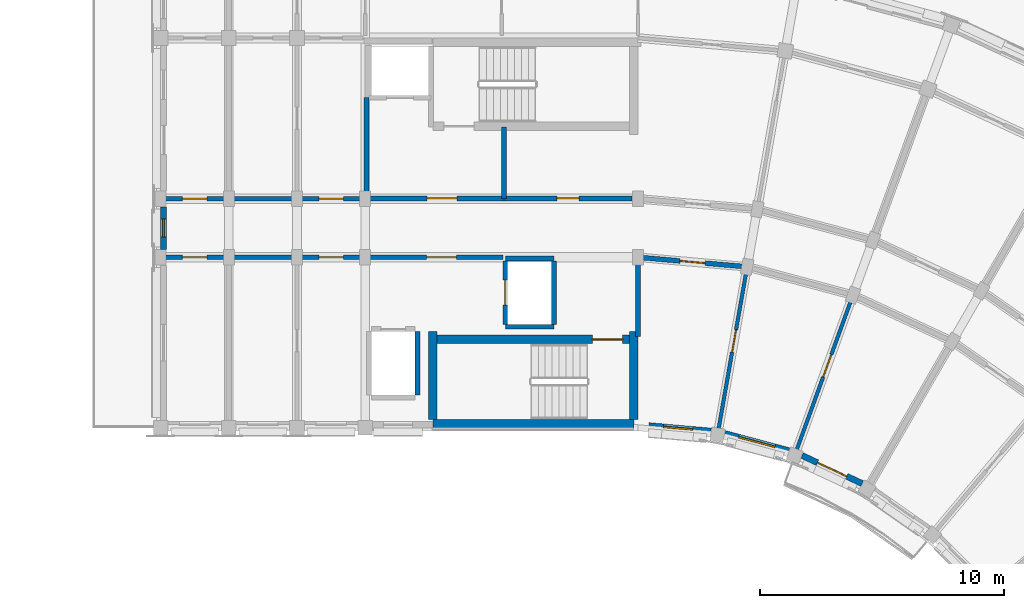
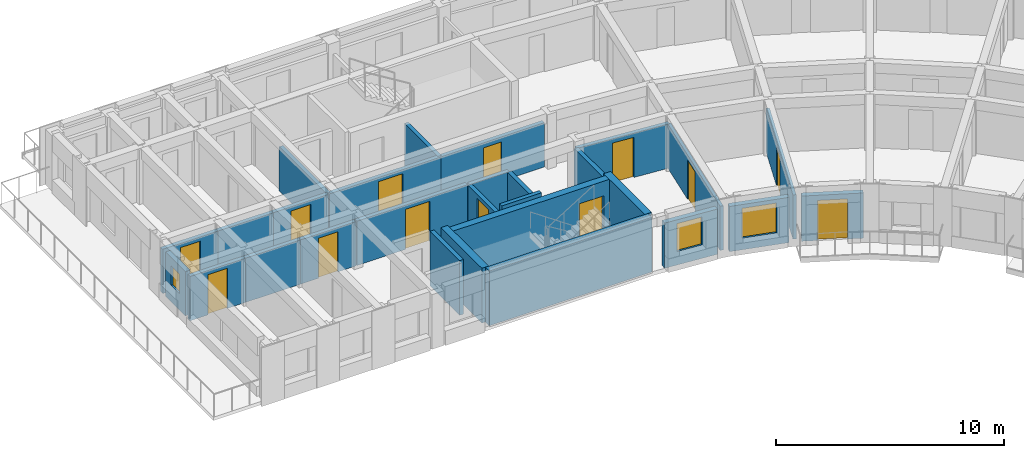
# One storey, part 18 of 36: 28 walls, 13 doors, 3 windows, 16 openings.
"""IFC4 building model written with IfcOpenShell, lengths in metres."""

from ifc_helpers import new_model, si_unit, direction, frame, frame_2d, origin, place, context, subcontext, project, spatial, rectangle, extrude, material, layer, layer_set, type_object, element, fill, save


model = new_model("IFC4")

# Units and contexts
model_context = context("Model", 3, precision=1e-05, world=origin(), true_north=direction((0.0, 1.0)))
body_context = subcontext(model_context, "Body", "Model", "MODEL_VIEW")
ifc_project = project(units=[si_unit("LENGTHUNIT", "METRE"), si_unit("AREAUNIT", "SQUARE_METRE"), si_unit("VOLUMEUNIT", "CUBIC_METRE"), si_unit("PLANEANGLEUNIT", "RADIAN"), si_unit("MASSUNIT", "GRAM", prefix="KILO")], contexts=[model_context])

# Site, building, storey
site_placement = place(None, origin())
site = spatial("IfcSite", under=ifc_project, at=site_placement, CompositionType="ELEMENT")
building_placement = place(site_placement, origin())
building = spatial("IfcBuilding", under=site, at=building_placement, Name="Kiranvali Square Residences", CompositionType="ELEMENT")
storey_placement = place(building_placement, frame((0.0, 0.0, 37.050048828125)))
storey = spatial("IfcBuildingStorey", under=building, at=storey_placement, Name="L11", CompositionType="ELEMENT", Elevation=37.050048828125)

# Wall, opening, door
ifc_material_1 = material(Name="Autoclaved aerated concrete blockwork masonry", Category="masonry")
ifc_layer_1 = layer(ifc_material_1, 0.199951171875)
ifc_layer_set_1 = layer_set([ifc_layer_1], Name="Autoclaved aerated concrete blockwork masonry")
wall_type_1 = type_object("IfcWallType", Name="WL-COR-200", PredefinedType="STANDARD", material=ifc_layer_set_1)
wall_1_placement = place(storey_placement, frame((114.25, 113.60009765625, 0.0), z_axis=(0.0, 0.0, 1.0), x_axis=(-1.0, 0.0, 0.0)))
wall_1 = element("IfcWall", 1, at=wall_1_placement, inside=storey, type_object=wall_type_1, Name="L11 architectural wall WL-L11-B-LL-COR", PredefinedType="STANDARD", context=body_context, shape_type="SweptSolid", body=[
    extrude(rectangle(XDim=5.60009765625, YDim=0.199951171875, at=frame_2d((2.800048828125, 0.0))), origin(), (0.0, 0.0, 1.0), 2.3720703125),
])
opening_1_placement = place(wall_1_placement, frame((1.909912109375, 0.0, 0.0)))
opening_1 = element("IfcOpeningElement", 2, at=opening_1_placement, cuts=wall_1, Name="Opening FD-COR-60", PredefinedType="OPENING", context=body_context, shape_type="SweptSolid", body=[
    extrude(rectangle(XDim=1.219970703125, YDim=2.14990234375, at=frame_2d((0.60986328125, 1.074951171875))), frame((0.0, 0.10986328125, 0.0), z_axis=(0.0, -1.0, 0.0), x_axis=(1.0, 0.0, 0.0)), (0.0, 0.0, 1.0), 0.219970703125),
])
ifc_material_2 = material(Name="Fire-rated acoustic hardwood and mineral-core door assembly", Category="wood")
door_type_1 = type_object("IfcDoorType", Name="DR-FD60-1200", OperationType="NOTDEFINED", PredefinedType="DOOR", material=ifc_material_2)
door_1_placement = place(opening_1_placement, origin())
door_1 = element("IfcDoor", 3, at=door_1_placement, inside=storey, type_object=door_type_1, Name="L11 door DR-L11-1641 (DR-FD60-1200)", OperationType="SINGLE_SWING_LEFT", OverallHeight=2.14990234375, OverallWidth=1.219970703125, PredefinedType="DOOR", context=body_context, shape_type="SweptSolid", body=[
    extrude(rectangle(XDim=1.219970703125, YDim=2.14990234375, at=frame_2d((0.60986328125, 1.074951171875))), frame((0.0, 0.02490234375, 0.0), z_axis=(0.0, -1.0, 0.0), x_axis=(1.0, 0.0, 0.0)), (0.0, 0.0, 1.0), 0.050048828125),
])
fill(opening_1, door_1)

wall_2_placement = place(storey_placement, frame((108.60009765625, 113.60009765625, 0.0), z_axis=(0.0, 0.0, 1.0), x_axis=(-1.0, 0.0, 0.0)))
wall_2 = element("IfcWall", 4, at=wall_2_placement, inside=storey, type_object=wall_type_1, Name="L11 architectural wall WL-L11-B-A1CI-0", PredefinedType="STANDARD", context=body_context, shape_type="SweptSolid", body=[
    extrude(rectangle(XDim=2.800048828125, YDim=0.199951171875, at=frame_2d((1.39990234375, 0.0))), origin(), (0.0, 0.0, 1.0), 2.3720703125),
])
opening_2_placement = place(wall_2_placement, frame((0.89990234375, 0.0, 0.0)))
opening_2 = element("IfcOpeningElement", 5, at=opening_2_placement, cuts=wall_2, Name="Opening FD-APT-60", PredefinedType="OPENING", context=body_context, shape_type="SweptSolid", body=[
    extrude(rectangle(XDim=1.0, YDim=2.14990234375, at=frame_2d((0.5, 1.074951171875))), frame((0.0, 0.10986328125, 0.0), z_axis=(0.0, -1.0, 0.0), x_axis=(1.0, 0.0, 0.0)), (0.0, 0.0, 1.0), 0.219970703125),
])
door_type_2 = type_object("IfcDoorType", Name="DR-APT-1000", OperationType="NOTDEFINED", PredefinedType="DOOR", material=ifc_material_2)
door_2_placement = place(opening_2_placement, origin())
door_2 = element("IfcDoor", 6, at=door_2_placement, inside=storey, type_object=door_type_2, Name="L11 door DR-L11-1645 (DR-APT-1000)", OperationType="SINGLE_SWING_LEFT", OverallHeight=2.14990234375, OverallWidth=1.0, PredefinedType="DOOR", context=body_context, shape_type="SweptSolid", body=[
    extrude(rectangle(XDim=1.0, YDim=2.14990234375, at=frame_2d((0.5, 1.074951171875))), frame((0.0, 0.02490234375, 0.0), z_axis=(0.0, -1.0, 0.0), x_axis=(1.0, 0.0, 0.0)), (0.0, 0.0, 1.0), 0.050048828125),
])
fill(opening_2, door_2)

wall_3_placement = place(storey_placement, frame((108.60009765625, 116.0, 0.0), z_axis=(0.0, 0.0, 1.0), x_axis=(-1.0, 0.0, 0.0)))
wall_3 = element("IfcWall", 7, at=wall_3_placement, inside=storey, type_object=wall_type_1, Name="L11 architectural wall WL-L11-B-A1CO-0", PredefinedType="STANDARD", context=body_context, shape_type="SweptSolid", body=[
    extrude(rectangle(XDim=2.800048828125, YDim=0.199951171875, at=frame_2d((1.39990234375, 0.0))), origin(), (0.0, 0.0, 1.0), 2.3720703125),
])
opening_3_placement = place(wall_3_placement, frame((0.89990234375, 0.0, 0.0)))
opening_3 = element("IfcOpeningElement", 8, at=opening_3_placement, cuts=wall_3, Name="Opening FD-APT-60", PredefinedType="OPENING", context=body_context, shape_type="SweptSolid", body=[
    extrude(rectangle(XDim=1.0, YDim=2.14990234375, at=frame_2d((0.5, 1.074951171875))), frame((0.0, 0.10986328125, 0.0), z_axis=(0.0, -1.0, 0.0), x_axis=(1.0, 0.0, 0.0)), (0.0, 0.0, 1.0), 0.219970703125),
])
door_3_placement = place(opening_3_placement, origin())
door_3 = element("IfcDoor", 9, at=door_3_placement, inside=storey, type_object=door_type_2, Name="L11 door DR-L11-1647 (DR-APT-1000)", OperationType="SINGLE_SWING_LEFT", OverallHeight=2.14990234375, OverallWidth=1.0, PredefinedType="DOOR", context=body_context, shape_type="SweptSolid", body=[
    extrude(rectangle(XDim=1.0, YDim=2.14990234375, at=frame_2d((0.5, 1.074951171875))), frame((0.0, 0.02490234375, 0.0), z_axis=(0.0, -1.0, 0.0), x_axis=(1.0, 0.0, 0.0)), (0.0, 0.0, 1.0), 0.050048828125),
])
fill(opening_3, door_3)

# Walls
for number, where, z_axis, x_axis, name in (
    (10, (105.800048828125, 113.60009765625, 0.0), (0.0, 0.0, 1.0), (-1.0, 0.0, 0.0), "L11 architectural wall WL-L11-B-A1CI-1"),
    (11, (105.800048828125, 116.0, 0.0), (0.0, 0.0, 1.0), (-1.0, 0.0, 0.0), "L11 architectural wall WL-L11-B-A1CO-1"),
):
    element("IfcWall", number, at=place(storey_placement, frame(where, z_axis=z_axis, x_axis=x_axis)), inside=storey, type_object=wall_type_1, Name=name, PredefinedType="STANDARD", context=body_context, shape_type="SweptSolid", body=[
        extrude(rectangle(XDim=2.800048828125, YDim=0.199951171875, at=frame_2d((1.39990234375, 0.0))), origin(), (0.0, 0.0, 1.0), 2.3720703125),
    ])

# Wall, opening, door
wall_4_placement = place(storey_placement, frame((103.0, 113.60009765625, 0.0), z_axis=(0.0, 0.0, 1.0), x_axis=(-1.0, 0.0, 0.0)))
wall_4 = element("IfcWall", 12, at=wall_4_placement, inside=storey, type_object=wall_type_1, Name="L11 architectural wall WL-L11-B-A1CI-2", PredefinedType="STANDARD", context=body_context, shape_type="SweptSolid", body=[
    extrude(rectangle(XDim=2.800048828125, YDim=0.199951171875, at=frame_2d((1.39990234375, 0.0))), origin(), (0.0, 0.0, 1.0), 2.3720703125),
])
opening_4_placement = place(wall_4_placement, frame((0.89990234375, 0.0, 0.0)))
opening_4 = element("IfcOpeningElement", 13, at=opening_4_placement, cuts=wall_4, Name="Opening FD-APT-60", PredefinedType="OPENING", context=body_context, shape_type="SweptSolid", body=[
    extrude(rectangle(XDim=1.0, YDim=2.14990234375, at=frame_2d((0.5, 1.074951171875))), frame((0.0, 0.10986328125, 0.0), z_axis=(0.0, -1.0, 0.0), x_axis=(1.0, 0.0, 0.0)), (0.0, 0.0, 1.0), 0.219970703125),
])
door_4_placement = place(opening_4_placement, origin())
door_4 = element("IfcDoor", 14, at=door_4_placement, inside=storey, type_object=door_type_2, Name="L11 door DR-L11-1649 (DR-APT-1000)", OperationType="SINGLE_SWING_LEFT", OverallHeight=2.14990234375, OverallWidth=1.0, PredefinedType="DOOR", context=body_context, shape_type="SweptSolid", body=[
    extrude(rectangle(XDim=1.0, YDim=2.14990234375, at=frame_2d((0.5, 1.074951171875))), frame((0.0, 0.02490234375, 0.0), z_axis=(0.0, -1.0, 0.0), x_axis=(1.0, 0.0, 0.0)), (0.0, 0.0, 1.0), 0.050048828125),
])
fill(opening_4, door_4)

wall_5_placement = place(storey_placement, frame((103.0, 116.0, 0.0), z_axis=(0.0, 0.0, 1.0), x_axis=(-1.0, 0.0, 0.0)))
wall_5 = element("IfcWall", 15, at=wall_5_placement, inside=storey, type_object=wall_type_1, Name="L11 architectural wall WL-L11-B-A1CO-2", PredefinedType="STANDARD", context=body_context, shape_type="SweptSolid", body=[
    extrude(rectangle(XDim=2.800048828125, YDim=0.199951171875, at=frame_2d((1.39990234375, 0.0))), origin(), (0.0, 0.0, 1.0), 2.3720703125),
])
opening_5_placement = place(wall_5_placement, frame((0.89990234375, 0.0, 0.0)))
opening_5 = element("IfcOpeningElement", 16, at=opening_5_placement, cuts=wall_5, Name="Opening FD-APT-60", PredefinedType="OPENING", context=body_context, shape_type="SweptSolid", body=[
    extrude(rectangle(XDim=1.0, YDim=2.14990234375, at=frame_2d((0.5, 1.074951171875))), frame((0.0, 0.10986328125, 0.0), z_axis=(0.0, -1.0, 0.0), x_axis=(1.0, 0.0, 0.0)), (0.0, 0.0, 1.0), 0.219970703125),
])
door_5_placement = place(opening_5_placement, origin())
door_5 = element("IfcDoor", 17, at=door_5_placement, inside=storey, type_object=door_type_2, Name="L11 door DR-L11-1651 (DR-APT-1000)", OperationType="SINGLE_SWING_LEFT", OverallHeight=2.14990234375, OverallWidth=1.0, PredefinedType="DOOR", context=body_context, shape_type="SweptSolid", body=[
    extrude(rectangle(XDim=1.0, YDim=2.14990234375, at=frame_2d((0.5, 1.074951171875))), frame((0.0, 0.02490234375, 0.0), z_axis=(0.0, -1.0, 0.0), x_axis=(1.0, 0.0, 0.0)), (0.0, 0.0, 1.0), 0.050048828125),
])
fill(opening_5, door_5)

wall_6_placement = place(storey_placement, frame((119.800048828125, 113.60009765625, 0.0), z_axis=(0.0, 0.0, 1.0), x_axis=(0.996191949488, -0.087187153726, 0.0)))
wall_6 = element("IfcWall", 18, at=wall_6_placement, inside=storey, type_object=wall_type_1, Name="L11 architectural wall WL-L11-B-CCI-0", PredefinedType="STANDARD", context=body_context, shape_type="SweptSolid", body=[
    extrude(rectangle(XDim=4.4970703125, YDim=0.199951171875, at=frame_2d((2.24853515625, 0.0))), origin(), (0.0, 0.0, 1.0), 2.3720703125),
])
opening_6_placement = place(wall_6_placement, frame((1.728515625, 0.0, 0.0)))
opening_6 = element("IfcOpeningElement", 19, at=opening_6_placement, cuts=wall_6, Name="Opening FD-APT-60B", PredefinedType="OPENING", context=body_context, shape_type="SweptSolid", body=[
    extrude(rectangle(XDim=1.0400390625, YDim=2.14990234375, at=frame_2d((0.52001953125, 1.074951171875))), frame((0.0, 0.10986328125, 0.0), z_axis=(0.0, -1.0, 0.0), x_axis=(1.0, 0.0, 0.0)), (0.0, 0.0, 1.0), 0.219970703125),
])
door_type_3 = type_object("IfcDoorType", Name="DR-APT-1040", OperationType="NOTDEFINED", PredefinedType="DOOR", material=ifc_material_2)
door_6_placement = place(opening_6_placement, frame((1.0400390625, 0.0, 0.0), z_axis=(0.0, 0.0, 1.0), x_axis=(-1.0, 0.0, 0.0)))
door_6 = element("IfcDoor", 20, at=door_6_placement, inside=storey, type_object=door_type_3, Name="L11 door DR-L11-1680 (DR-APT-1040)", OperationType="SINGLE_SWING_RIGHT", OverallHeight=2.14990234375, OverallWidth=1.0400390625, PredefinedType="DOOR", context=body_context, shape_type="SweptSolid", body=[
    extrude(rectangle(XDim=1.0400390625, YDim=2.14990234375, at=frame_2d((0.52001953125, 1.074951171875))), frame((0.0, 0.02490234375, 0.0), z_axis=(0.0, -1.0, 0.0), x_axis=(1.0, 0.0, 0.0)), (0.0, 0.0, 1.0), 0.050048828125),
])
fill(opening_6, door_6)

# Wall
ifc_layer_2 = layer(ifc_material_1, 0.219970703125)
ifc_layer_set_2 = layer_set([ifc_layer_2], Name="Autoclaved aerated concrete blockwork masonry")
wall_type_2 = type_object("IfcWallType", Name="WL-DEM-220", PredefinedType="STANDARD", material=ifc_layer_set_2)
wall_7_placement = place(storey_placement, frame((119.800048828125, 110.35009765625, 0.0), z_axis=(0.0, 0.0, 1.0), x_axis=(0.0, 1.0, 0.0)))
element("IfcWall", 21, at=wall_7_placement, inside=storey, type_object=wall_type_2, Name="L11 architectural wall WL-L11-B-RADI-0", PredefinedType="STANDARD", context=body_context, shape_type="SweptSolid", body=[
    extrude(rectangle(XDim=3.199951171875, YDim=0.219970703125, at=frame_2d((1.60009765625, 0.0))), origin(), (0.0, 0.0, 1.0), 2.3720703125),
])

# Wall, opening, window
ifc_material_3 = material(Name="Breathable lime-rendered clay brick masonry", Category="masonry")
ifc_layer_3 = layer(ifc_material_3, 0.25)
ifc_layer_set_3 = layer_set([ifc_layer_3], Name="Breathable lime-rendered clay brick masonry")
wall_type_3 = type_object("IfcWallType", Name="WL-EXT-250", PredefinedType="STANDARD", material=ifc_layer_set_3)
wall_8_placement = place(storey_placement, frame((120.249267578125, 106.686279296875, 0.0), z_axis=(0.0, 0.0, 1.0), x_axis=(0.996188847542, -0.087222589008, 0.0)))
wall_8 = element("IfcWall", 22, at=wall_8_placement, inside=storey, type_object=wall_type_3, Name="L11 exterior wall B-L11-GDN-00", PredefinedType="STANDARD", context=body_context, shape_type="SweptSolid", body=[
    extrude(rectangle(XDim=2.558349609375, YDim=0.25, at=frame_2d((1.279296875, 0.0))), origin(), (0.0, 0.0, 1.0), 2.421875),
])
opening_7_placement = place(wall_8_placement, frame((0.5986328125, 0.0, 0.721923828125)))
opening_7 = element("IfcOpeningElement", 23, at=opening_7_placement, cuts=wall_8, Name="Opening W-06", PredefinedType="OPENING", context=body_context, shape_type="SweptSolid", body=[
    extrude(rectangle(XDim=1.199951171875, YDim=1.5, at=frame_2d((0.60009765625, 0.75))), frame((0.0, 0.135009765625, 0.0), z_axis=(0.0, -1.0, 0.0), x_axis=(1.0, 0.0, 0.0)), (0.0, 0.0, 1.0), 0.27001953125),
])
ifc_material_4 = material(Name="Solar-control low-e double glazing", Category="glass")
window_type_1 = type_object("IfcWindowType", Name="WIN-RES-1200x1500", PartitioningType="SINGLE_PANEL", PredefinedType="WINDOW", material=ifc_material_4)
window_1_placement = place(opening_7_placement, origin())
window_1 = element("IfcWindow", 24, at=window_1_placement, inside=storey, type_object=window_type_1, Name="L11 recessed window B-L11-GDN-00", OverallHeight=1.5, OverallWidth=1.199951171875, PartitioningType="SINGLE_PANEL", PredefinedType="WINDOW", context=body_context, shape_type="SweptSolid", body=[
    extrude(rectangle(XDim=1.199951171875, YDim=1.5, at=frame_2d((0.60009765625, 0.75))), frame((0.0, 0.030029296875, 0.0), z_axis=(0.0, -1.0, 0.0), x_axis=(1.0, 0.0, 0.0)), (0.0, 0.0, 1.0), 0.06005859375),
])
fill(opening_7, window_1)

wall_9_placement = place(storey_placement, frame((123.3662109375, 106.363037109375, 0.0), z_axis=(0.0, 0.0, 1.0), x_axis=(0.965928818058, -0.258807879411, 0.0)))
wall_9 = element("IfcWall", 25, at=wall_9_placement, inside=storey, type_object=wall_type_3, Name="L11 exterior wall B-L11-GDN-01", PredefinedType="STANDARD", context=body_context, shape_type="SweptSolid", body=[
    extrude(rectangle(XDim=2.7197265625, YDim=0.25, at=frame_2d((1.35986328125, 0.0))), origin(), (0.0, 0.0, 1.0), 2.421875),
])
opening_8_placement = place(wall_9_placement, frame((0.5849609375, 0.0, 0.6220703125)))
opening_8 = element("IfcOpeningElement", 26, at=opening_8_placement, cuts=wall_9, Name="Opening W-18", PredefinedType="OPENING", context=body_context, shape_type="SweptSolid", body=[
    extrude(rectangle(XDim=1.550048828125, YDim=1.60009765625, at=frame_2d((0.77490234375, 0.800048828125))), frame((0.0, 0.135009765625, 0.0), z_axis=(0.0, -1.0, 0.0), x_axis=(1.0, 0.0, 0.0)), (0.0, 0.0, 1.0), 0.27001953125),
])
window_type_2 = type_object("IfcWindowType", Name="WIN-GDN-1550x1600", PartitioningType="DOUBLE_PANEL_VERTICAL", PredefinedType="WINDOW", material=ifc_material_4)
window_2_placement = place(opening_8_placement, origin())
window_2 = element("IfcWindow", 27, at=window_2_placement, inside=storey, type_object=window_type_2, Name="L11 recessed window B-L11-GDN-01", OverallHeight=1.60009765625, OverallWidth=1.550048828125, PartitioningType="DOUBLE_PANEL_VERTICAL", PredefinedType="WINDOW", context=body_context, shape_type="SweptSolid", body=[
    extrude(rectangle(XDim=1.550048828125, YDim=1.60009765625, at=frame_2d((0.77490234375, 0.800048828125))), frame((0.0, 0.030029296875, 0.0), z_axis=(0.0, -1.0, 0.0), x_axis=(1.0, 0.0, 0.0)), (0.0, 0.0, 1.0), 0.06005859375),
])
fill(opening_8, window_2)

# Wall, opening, door
wall_10_placement = place(storey_placement, frame((126.535400390625, 105.461669921875, 0.0), z_axis=(0.0, 0.0, 1.0), x_axis=(0.906302358412, -0.422629903269, 0.0)))
wall_10 = element("IfcWall", 28, at=wall_10_placement, inside=storey, type_object=wall_type_3, Name="L11 exterior wall B-L11-GDN-02", PredefinedType="STANDARD", context=body_context, shape_type="SweptSolid", body=[
    extrude(rectangle(XDim=2.7197265625, YDim=0.25, at=frame_2d((1.35986328125, 0.0))), origin(), (0.0, 0.0, 1.0), 2.421875),
])
opening_9_placement = place(wall_10_placement, frame((0.699951171875, 0.0, 0.0)))
opening_9 = element("IfcOpeningElement", 29, at=opening_9_placement, cuts=wall_10, Name="Opening ED-BAL-3", PredefinedType="OPENING", context=body_context, shape_type="SweptSolid", body=[
    extrude(rectangle(XDim=1.320068359375, YDim=2.14990234375, at=frame_2d((0.66015625, 1.074951171875))), frame((0.0, 0.135009765625, 0.0), z_axis=(0.0, -1.0, 0.0), x_axis=(1.0, 0.0, 0.0)), (0.0, 0.0, 1.0), 0.27001953125),
])
ifc_material_5 = material(Name="Anodised bronze aluminium framing", Category="aluminium")
door_type_4 = type_object("IfcDoorType", Name="DR-BAL-1320", OperationType="NOTDEFINED", PredefinedType="DOOR", material=ifc_material_5)
door_7_placement = place(opening_9_placement, frame((1.320068359375, 0.0, 0.0), z_axis=(0.0, 0.0, 1.0), x_axis=(-1.0, 0.0, 0.0)))
door_7 = element("IfcDoor", 30, at=door_7_placement, inside=storey, type_object=door_type_4, Name="L11 balcony terrace door", OperationType="SINGLE_SWING_RIGHT", OverallHeight=2.14990234375, OverallWidth=1.320068359375, PredefinedType="DOOR", context=body_context, shape_type="SweptSolid", body=[
    extrude(rectangle(XDim=1.320068359375, YDim=2.14990234375, at=frame_2d((0.66015625, 1.074951171875))), frame((0.0, 0.02490234375, 0.0), z_axis=(0.0, -1.0, 0.0), x_axis=(1.0, 0.0, 0.0)), (0.0, 0.0, 1.0), 0.050048828125),
])
fill(opening_9, door_7)

# Wall, opening, window
wall_11_placement = place(storey_placement, frame((100.324951171875, 113.928466796875, 0.0), z_axis=(0.0, 0.0, 1.0), x_axis=(0.0, 1.0, 0.0)))
wall_11 = element("IfcWall", 31, at=wall_11_placement, inside=storey, type_object=wall_type_3, Name="L11 exterior wall B-L11-A1END-1", PredefinedType="STANDARD", context=body_context, shape_type="SweptSolid", body=[
    extrude(rectangle(XDim=1.742919921875, YDim=0.25, at=frame_2d((0.87158203125, 0.0))), origin(), (0.0, 0.0, 1.0), 2.3720703125),
])
opening_10_placement = place(wall_11_placement, frame((0.49658203125, 0.0, 0.8798828125)))
opening_10 = element("IfcOpeningElement", 32, at=opening_10_placement, cuts=wall_11, Name="Opening W-07", PredefinedType="OPENING", context=body_context, shape_type="SweptSolid", body=[
    extrude(rectangle(XDim=0.75, YDim=1.050048828125, at=frame_2d((0.375, 0.52490234375))), frame((0.0, 0.135009765625, 0.0), z_axis=(0.0, -1.0, 0.0), x_axis=(1.0, 0.0, 0.0)), (0.0, 0.0, 1.0), 0.27001953125),
])
window_type_3 = type_object("IfcWindowType", Name="WIN-WET-750x1050", PartitioningType="SINGLE_PANEL", PredefinedType="WINDOW", material=ifc_material_4)
window_3_placement = place(opening_10_placement, origin())
window_3 = element("IfcWindow", 33, at=window_3_placement, inside=storey, type_object=window_type_3, Name="L11 recessed window B-L11-A1END-1", OverallHeight=1.050048828125, OverallWidth=0.75, PartitioningType="SINGLE_PANEL", PredefinedType="WINDOW", context=body_context, shape_type="SweptSolid", body=[
    extrude(rectangle(XDim=0.75, YDim=1.050048828125, at=frame_2d((0.375, 0.52490234375))), frame((0.0, 0.030029296875, 0.0), z_axis=(0.0, -1.0, 0.0), x_axis=(1.0, 0.0, 0.0)), (0.0, 0.0, 1.0), 0.06005859375),
])
fill(opening_10, window_3)

# Wall, opening, door
ifc_layer_4 = layer(ifc_material_1, 0.199951171875)
ifc_layer_set_4 = layer_set([ifc_layer_4], Name="Autoclaved aerated concrete blockwork masonry")
wall_type_4 = type_object("IfcWallType", Name="WL-FFL-200", PredefinedType="STANDARD", material=ifc_layer_set_4)
wall_12_placement = place(storey_placement, frame((114.300048828125, 116.02001953125, 0.0), z_axis=(0.0, 0.0, 1.0), x_axis=(-1.0, 0.0, 0.0)))
wall_12 = element("IfcWall", 34, at=wall_12_placement, inside=storey, type_object=wall_type_4, Name="L11 architectural wall WL-L11-B-FF-COR", PredefinedType="STANDARD", context=body_context, shape_type="SweptSolid", body=[
    extrude(rectangle(XDim=5.650146484375, YDim=0.199951171875, at=frame_2d((2.8251953125, 0.0))), origin(), (0.0, 0.0, 1.0), 2.3720703125),
])
opening_11_placement = place(wall_12_placement, frame((1.922607421875, 0.0, 0.0)))
opening_11 = element("IfcOpeningElement", 35, at=opening_11_placement, cuts=wall_12, Name="Opening FD-ST-120", PredefinedType="OPENING", context=body_context, shape_type="SweptSolid", body=[
    extrude(rectangle(XDim=1.239990234375, YDim=2.14990234375, at=frame_2d((0.6201171875, 1.074951171875))), frame((0.0, 0.10986328125, 0.0), z_axis=(0.0, -1.0, 0.0), x_axis=(1.0, 0.0, 0.0)), (0.0, 0.0, 1.0), 0.219970703125),
])
door_type_5 = type_object("IfcDoorType", Name="DR-FD120-1200", OperationType="NOTDEFINED", PredefinedType="DOOR", material=ifc_material_2)
door_8_placement = place(opening_11_placement, origin())
door_8 = element("IfcDoor", 36, at=door_8_placement, inside=storey, type_object=door_type_5, Name="L11 door DR-L11-1633 (DR-FD120-1200)", OperationType="SINGLE_SWING_LEFT", OverallHeight=2.14990234375, OverallWidth=1.239990234375, PredefinedType="DOOR", context=body_context, shape_type="SweptSolid", body=[
    extrude(rectangle(XDim=1.239990234375, YDim=2.14990234375, at=frame_2d((0.6201171875, 1.074951171875))), frame((0.0, 0.02490234375, 0.0), z_axis=(0.0, -1.0, 0.0), x_axis=(1.0, 0.0, 0.0)), (0.0, 0.0, 1.0), 0.050048828125),
])
fill(opening_11, door_8)

# Walls
wall_13_placement = place(storey_placement, frame((114.300048828125, 116.02001953125, 0.0), z_axis=(0.0, 0.0, 1.0), x_axis=(0.0, 1.0, 0.0)))
element("IfcWall", 37, at=wall_13_placement, inside=storey, type_object=wall_type_4, Name="L11 architectural wall WL-L11-B-FF-DIV", PredefinedType="STANDARD", context=body_context, shape_type="SweptSolid", body=[
    extrude(rectangle(XDim=2.929931640625, YDim=0.199951171875, at=frame_2d((1.46484375, 0.0))), origin(), (0.0, 0.0, 1.0), 2.3720703125),
])
wall_14_placement = place(storey_placement, frame((108.64990234375, 116.02001953125, 0.0), z_axis=(0.0, 0.0, 1.0), x_axis=(0.0, 1.0, 0.0)))
element("IfcWall", 38, at=wall_14_placement, inside=storey, type_object=wall_type_4, Name="L11 architectural wall WL-L11-B-FF-END", PredefinedType="STANDARD", context=body_context, shape_type="SweptSolid", body=[
    extrude(rectangle(XDim=4.1298828125, YDim=0.199951171875, at=frame_2d((2.06494140625, 0.0))), origin(), (0.0, 0.0, 1.0), 2.3720703125),
])

# Wall, opening, door
ifc_material_6 = material(Name="Acoustic gypsum board drylined partition", Category="gypsum")
ifc_layer_5 = layer(ifc_material_6, 0.14990234375)
ifc_layer_set_5 = layer_set([ifc_layer_5], Name="Acoustic gypsum board drylined partition")
wall_type_5 = type_object("IfcWallType", Name="WL-PRT-150", PredefinedType="PARTITIONING", material=ifc_layer_set_5)
wall_15_placement = place(storey_placement, frame((123.099365234375, 106.51123046875, 0.0), z_axis=(0.0, 0.0, 1.0), x_axis=(0.173647089161, 0.984807944945, 0.0)))
wall_15 = element("IfcWall", 39, at=wall_15_placement, inside=storey, type_object=wall_type_5, Name="L11 architectural wall WL-L11-B-RADI-1", PredefinedType="PARTITIONING", context=body_context, shape_type="SweptSolid", body=[
    extrude(rectangle(XDim=6.75, YDim=0.14990234375, at=frame_2d((3.375, 0.0))), origin(), (0.0, 0.0, 1.0), 2.3720703125),
])
opening_12_placement = place(wall_15_placement, frame((3.242431640625, 0.0, 0.0)))
opening_12 = element("IfcOpeningElement", 40, at=opening_12_placement, cuts=wall_15, Name="Opening ID-2", PredefinedType="OPENING", context=body_context, shape_type="SweptSolid", body=[
    extrude(rectangle(XDim=0.93994140625, YDim=2.10009765625, at=frame_2d((0.469970703125, 1.050048828125))), frame((0.0, 0.0849609375, 0.0), z_axis=(0.0, -1.0, 0.0), x_axis=(1.0, 0.0, 0.0)), (0.0, 0.0, 1.0), 0.169921875),
])
ifc_material_7 = material(Name="Solid seasoned teak hardwood joinery", Category="wood")
door_type_6 = type_object("IfcDoorType", Name="DR-INT-940", OperationType="NOTDEFINED", PredefinedType="DOOR", material=ifc_material_7)
door_9_placement = place(opening_12_placement, origin())
door_9 = element("IfcDoor", 41, at=door_9_placement, inside=storey, type_object=door_type_6, Name="L11 door DR-L11-1657 (DR-INT-940)", OperationType="SINGLE_SWING_LEFT", OverallHeight=2.10009765625, OverallWidth=0.93994140625, PredefinedType="DOOR", context=body_context, shape_type="SweptSolid", body=[
    extrude(rectangle(XDim=0.93994140625, YDim=2.10009765625, at=frame_2d((0.469970703125, 1.050048828125))), frame((0.0, 0.02490234375, 0.0), z_axis=(0.0, -1.0, 0.0), x_axis=(1.0, 0.0, 0.0)), (0.0, 0.0, 1.0), 0.050048828125),
])
fill(opening_12, door_9)

wall_16_placement = place(storey_placement, frame((126.29833984375, 105.654052734375, 0.0), z_axis=(0.0, 0.0, 1.0), x_axis=(0.342010221662, 0.939696231917, 0.0)))
wall_16 = element("IfcWall", 42, at=wall_16_placement, inside=storey, type_object=wall_type_5, Name="L11 architectural wall WL-L11-B-RADI-2", PredefinedType="PARTITIONING", context=body_context, shape_type="SweptSolid", body=[
    extrude(rectangle(XDim=6.75, YDim=0.14990234375, at=frame_2d((3.375, 0.0))), origin(), (0.0, 0.0, 1.0), 2.3720703125),
])
opening_13_placement = place(wall_16_placement, frame((3.222412109375, 0.0, 0.0)))
opening_13 = element("IfcOpeningElement", 43, at=opening_13_placement, cuts=wall_16, Name="Opening ID-3", PredefinedType="OPENING", context=body_context, shape_type="SweptSolid", body=[
    extrude(rectangle(XDim=0.97998046875, YDim=2.1201171875, at=frame_2d((0.489990234375, 1.06005859375))), frame((0.0, 0.0849609375, 0.0), z_axis=(0.0, -1.0, 0.0), x_axis=(1.0, 0.0, 0.0)), (0.0, 0.0, 1.0), 0.169921875),
])
door_type_7 = type_object("IfcDoorType", Name="DR-INT-980", OperationType="NOTDEFINED", PredefinedType="DOOR", material=ifc_material_7)
door_10_placement = place(opening_13_placement, origin())
door_10 = element("IfcDoor", 44, at=door_10_placement, inside=storey, type_object=door_type_7, Name="L11 door DR-L11-1659 (DR-INT-980)", OperationType="SINGLE_SWING_LEFT", OverallHeight=2.1201171875, OverallWidth=0.97998046875, PredefinedType="DOOR", context=body_context, shape_type="SweptSolid", body=[
    extrude(rectangle(XDim=0.97998046875, YDim=2.1201171875, at=frame_2d((0.489990234375, 1.06005859375))), frame((0.0, 0.02490234375, 0.0), z_axis=(0.0, -1.0, 0.0), x_axis=(1.0, 0.0, 0.0)), (0.0, 0.0, 1.0), 0.050048828125),
])
fill(opening_13, door_10)

ifc_layer_6 = layer(ifc_material_1, 0.199951171875)
ifc_layer_set_6 = layer_set([ifc_layer_6], Name="Autoclaved aerated concrete blockwork masonry")
wall_type_6 = type_object("IfcWallType", Name="WL-SHF-200", PredefinedType="STANDARD", material=ifc_layer_set_6)
wall_17_placement = place(storey_placement, frame((119.550048828125, 116.02001953125, 0.0), z_axis=(0.0, 0.0, 1.0), x_axis=(-1.0, 0.0, 0.0)))
wall_17 = element("IfcWall", 45, at=wall_17_placement, inside=storey, type_object=wall_type_6, Name="L11 architectural wall WL-L11-B-RSR-COR", PredefinedType="STANDARD", context=body_context, shape_type="SweptSolid", body=[
    extrude(rectangle(XDim=5.25, YDim=0.199951171875, at=frame_2d((2.625, 0.0))), origin(), (0.0, 0.0, 1.0), 2.3720703125),
])
opening_14_placement = place(wall_17_placement, frame((2.1650390625, 0.0, 0.0)))
opening_14 = element("IfcOpeningElement", 46, at=opening_14_placement, cuts=wall_17, Name="Opening FD-SVC-120", PredefinedType="OPENING", context=body_context, shape_type="SweptSolid", body=[
    extrude(rectangle(XDim=0.919921875, YDim=2.10009765625, at=frame_2d((0.4599609375, 1.050048828125))), frame((0.0, 0.10986328125, 0.0), z_axis=(0.0, -1.0, 0.0), x_axis=(1.0, 0.0, 0.0)), (0.0, 0.0, 1.0), 0.219970703125),
])
door_type_8 = type_object("IfcDoorType", Name="DR-SVC-900", OperationType="NOTDEFINED", PredefinedType="DOOR", material=ifc_material_2)
door_11_placement = place(opening_14_placement, frame((0.919921875, 0.0, 0.0), z_axis=(0.0, 0.0, 1.0), x_axis=(-1.0, 0.0, 0.0)))
door_11 = element("IfcDoor", 47, at=door_11_placement, inside=storey, type_object=door_type_8, Name="L11 door DR-L11-1634 (DR-SVC-900)", OperationType="SINGLE_SWING_RIGHT", OverallHeight=2.10009765625, OverallWidth=0.919921875, PredefinedType="DOOR", context=body_context, shape_type="SweptSolid", body=[
    extrude(rectangle(XDim=0.919921875, YDim=2.10009765625, at=frame_2d((0.4599609375, 1.050048828125))), frame((0.0, 0.02490234375, 0.0), z_axis=(0.0, -1.0, 0.0), x_axis=(1.0, 0.0, 0.0)), (0.0, 0.0, 1.0), 0.050048828125),
])
fill(opening_14, door_11)

# Walls
wall_18_placement = place(storey_placement, frame((110.75, 107.949951171875, 0.0), z_axis=(0.0, 0.0, 1.0), x_axis=(0.0, 1.0, 0.0)))
element("IfcWall", 48, at=wall_18_placement, inside=storey, type_object=wall_type_6, Name="L11 architectural wall WL-L11-B-LP1-S1", PredefinedType="STANDARD", context=body_context, shape_type="SweptSolid", body=[
    extrude(rectangle(XDim=2.60009765625, YDim=0.199951171875, at=frame_2d((1.300048828125, 0.0))), origin(), (0.0, 0.0, 1.0), 2.929931640625),
])
wall_19_placement = place(storey_placement, frame((116.35009765625, 110.75, 0.0), z_axis=(0.0, 0.0, 1.0), x_axis=(-1.0, 0.0, 0.0)))
element("IfcWall", 49, at=wall_19_placement, inside=storey, type_object=wall_type_6, Name="L11 architectural wall WL-L11-B-LP2-S0", PredefinedType="STANDARD", context=body_context, shape_type="SweptSolid", body=[
    extrude(rectangle(XDim=2.0, YDim=0.199951171875, at=frame_2d((1.0, 0.0))), origin(), (0.0, 0.0, 1.0), 2.929931640625),
])
wall_20_placement = place(storey_placement, frame((116.35009765625, 113.550048828125, 0.0), z_axis=(0.0, 0.0, 1.0), x_axis=(-1.0, 0.0, 0.0)))
element("IfcWall", 50, at=wall_20_placement, inside=storey, type_object=wall_type_6, Name="L11 architectural wall WL-L11-B-LP2-B", PredefinedType="STANDARD", context=body_context, shape_type="SweptSolid", body=[
    extrude(rectangle(XDim=2.0, YDim=0.199951171875, at=frame_2d((1.0, 0.0))), origin(), (0.0, 0.0, 1.0), 2.3720703125),
])
wall_21_placement = place(storey_placement, frame((116.35009765625, 110.85009765625, 0.0), z_axis=(0.0, 0.0, 1.0), x_axis=(0.0, 1.0, 0.0)))
element("IfcWall", 51, at=wall_21_placement, inside=storey, type_object=wall_type_6, Name="L11 architectural wall WL-L11-B-LP2-S1", PredefinedType="STANDARD", context=body_context, shape_type="SweptSolid", body=[
    extrude(rectangle(XDim=2.599853515625, YDim=0.199951171875, at=frame_2d((1.2998046875, 0.0))), origin(), (0.0, 0.0, 1.0), 2.3720703125),
])

# Wall, opening, door
wall_22_placement = place(storey_placement, frame((114.35009765625, 110.85009765625, 0.0), z_axis=(0.0, 0.0, 1.0), x_axis=(0.0, 1.0, 0.0)))
wall_22 = element("IfcWall", 52, at=wall_22_placement, inside=storey, type_object=wall_type_6, Name="L11 architectural wall WL-L11-B-LP2-F", PredefinedType="STANDARD", context=body_context, shape_type="SweptSolid", body=[
    extrude(rectangle(XDim=2.599853515625, YDim=0.199951171875, at=frame_2d((1.2998046875, 0.0))), origin(), (0.0, 0.0, 1.0), 2.3720703125),
])
opening_15_placement = place(wall_22_placement, frame((0.7900390625, 0.0, 0.0)))
opening_15 = element("IfcOpeningElement", 53, at=opening_15_placement, cuts=wall_22, Name="Opening LD-PAX-100", PredefinedType="OPENING", context=body_context, shape_type="SweptSolid", body=[
    extrude(rectangle(XDim=1.02001953125, YDim=2.14990234375, at=frame_2d((0.510009765625, 1.074951171875))), frame((0.0, 0.10986328125, 0.0), z_axis=(0.0, -1.0, 0.0), x_axis=(1.0, 0.0, 0.0)), (0.0, 0.0, 1.0), 0.219970703125),
])
door_type_9 = type_object("IfcDoorType", Name="DR-LIFT-1000", OperationType="SLIDING_TO_RIGHT", PredefinedType="DOOR", material=ifc_material_2)
door_12_placement = place(opening_15_placement, origin())
door_12 = element("IfcDoor", 54, at=door_12_placement, inside=storey, type_object=door_type_9, Name="L11 door DR-L11-1640 (DR-LIFT-1000)", OperationType="SLIDING_TO_RIGHT", OverallHeight=2.14990234375, OverallWidth=1.02001953125, PredefinedType="DOOR", context=body_context, shape_type="SweptSolid", body=[
    extrude(rectangle(XDim=1.02001953125, YDim=2.14990234375, at=frame_2d((0.510009765625, 1.074951171875))), frame((0.0, 0.02490234375, 0.0), z_axis=(0.0, -1.0, 0.0), x_axis=(1.0, 0.0, 0.0)), (0.0, 0.0, 1.0), 0.050048828125),
])
fill(opening_15, door_12)

# Wall
ifc_material_8 = material(Name="Concrete M45 (45 MPa)", Category="concrete")
ifc_layer_7 = layer(ifc_material_8, 0.320068359375)
ifc_layer_set_7 = layer_set([ifc_layer_7], Name="Concrete M45 (45 MPa)")
wall_type_7 = type_object("IfcWallType", Name="WL-SHR-320", PredefinedType="SHEAR", material=ifc_layer_set_7)
wall_23_placement = place(storey_placement, frame((119.625, 106.77490234375, 0.0), z_axis=(0.0, 0.0, 1.0), x_axis=(-1.0, 0.0, 0.0)))
element("IfcWall", 55, at=wall_23_placement, inside=storey, type_object=wall_type_7, Name="Block B core shear wall SW-B2-OUT-L11", PredefinedType="SHEAR", context=body_context, shape_type="SweptSolid", body=[
    extrude(rectangle(XDim=8.25, YDim=0.35009765625, at=frame_2d((4.125, 0.0))), origin(), (0.0, 0.0, 1.0), 2.929931640625),
])

# Wall, opening, door
wall_24_placement = place(storey_placement, frame((119.449951171875, 110.22509765625, 0.0), z_axis=(0.0, 0.0, 1.0), x_axis=(-1.0, 0.0, 0.0)))
wall_24 = element("IfcWall", 56, at=wall_24_placement, inside=storey, type_object=wall_type_7, Name="Block B core shear wall SW-B2-IN-L11", PredefinedType="SHEAR", context=body_context, shape_type="SweptSolid", body=[
    extrude(rectangle(XDim=7.89990234375, YDim=0.35009765625, at=frame_2d((3.949951171875, 0.0))), origin(), (0.0, 0.0, 1.0), 2.929931640625),
])
opening_16_placement = place(wall_24_placement, frame((0.280029296875, 0.0, 0.0)))
opening_16 = element("IfcOpeningElement", 57, at=opening_16_placement, cuts=wall_24, Name="Opening FD-ST-120", PredefinedType="OPENING", context=body_context, shape_type="SweptSolid", body=[
    extrude(rectangle(XDim=1.239990234375, YDim=2.14990234375, at=frame_2d((0.6201171875, 1.074951171875))), frame((0.0, 0.18505859375, 0.0), z_axis=(0.0, -1.0, 0.0), x_axis=(1.0, 0.0, 0.0)), (0.0, 0.0, 1.0), 0.3701171875),
])
door_13_placement = place(opening_16_placement, origin())
door_13 = element("IfcDoor", 58, at=door_13_placement, inside=storey, type_object=door_type_5, Name="L11 door DR-L11-1637 (DR-FD120-1200)", OperationType="SINGLE_SWING_LEFT", OverallHeight=2.14990234375, OverallWidth=1.239990234375, PredefinedType="DOOR", context=body_context, shape_type="SweptSolid", body=[
    extrude(rectangle(XDim=1.239990234375, YDim=2.14990234375, at=frame_2d((0.6201171875, 1.074951171875))), frame((0.0, 0.02490234375, 0.0), z_axis=(0.0, -1.0, 0.0), x_axis=(1.0, 0.0, 0.0)), (0.0, 0.0, 1.0), 0.050048828125),
])
fill(opening_16, door_13)

# Walls
for number, where, z_axis, x_axis, name in (
    (59, (119.625, 106.949951171875, 0.0), (0.0, 0.0, 1.0), (0.0, 1.0, 0.0), "Block B core shear wall SW-B2-NEAR-L11"),
    (60, (111.375, 106.949951171875, 0.0), (0.0, 0.0, 1.0), (0.0, 1.0, 0.0), "Block B core shear wall SW-B2-FAR-L11"),
):
    element("IfcWall", number, at=place(storey_placement, frame(where, z_axis=z_axis, x_axis=x_axis)), inside=storey, type_object=wall_type_7, Name=name, PredefinedType="SHEAR", context=body_context, shape_type="SweptSolid", body=[
        extrude(rectangle(XDim=3.60009765625, YDim=0.35009765625, at=frame_2d((1.800048828125, 0.0))), origin(), (0.0, 0.0, 1.0), 2.929931640625),
    ])

save(model, "model.ifc")
